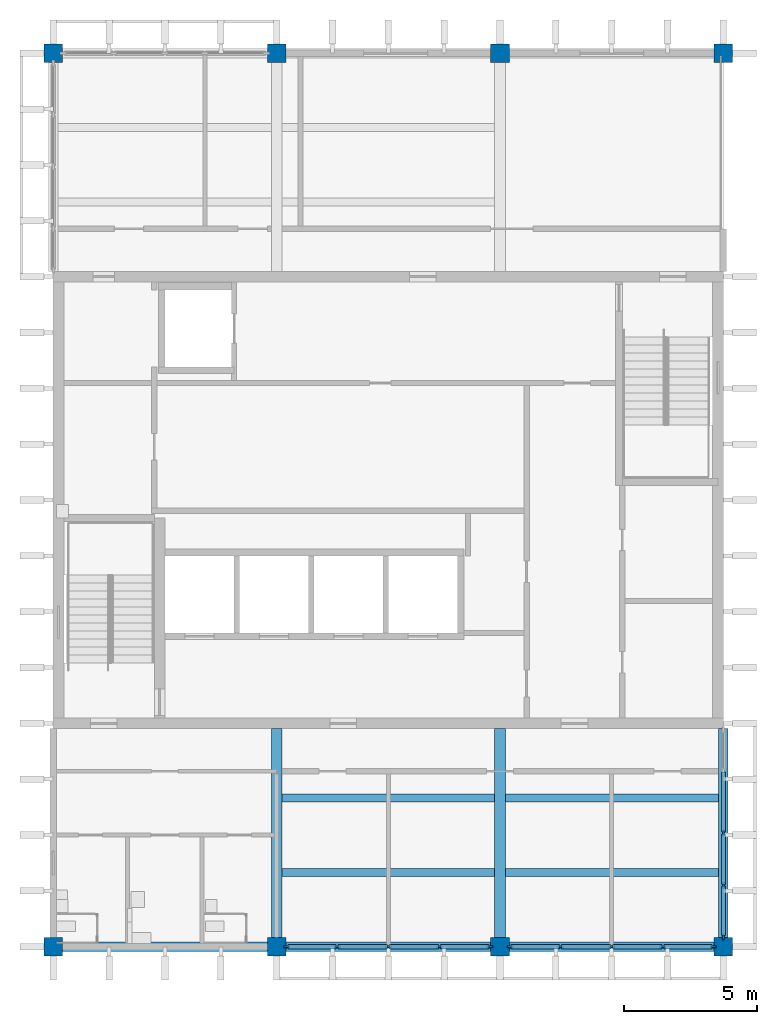
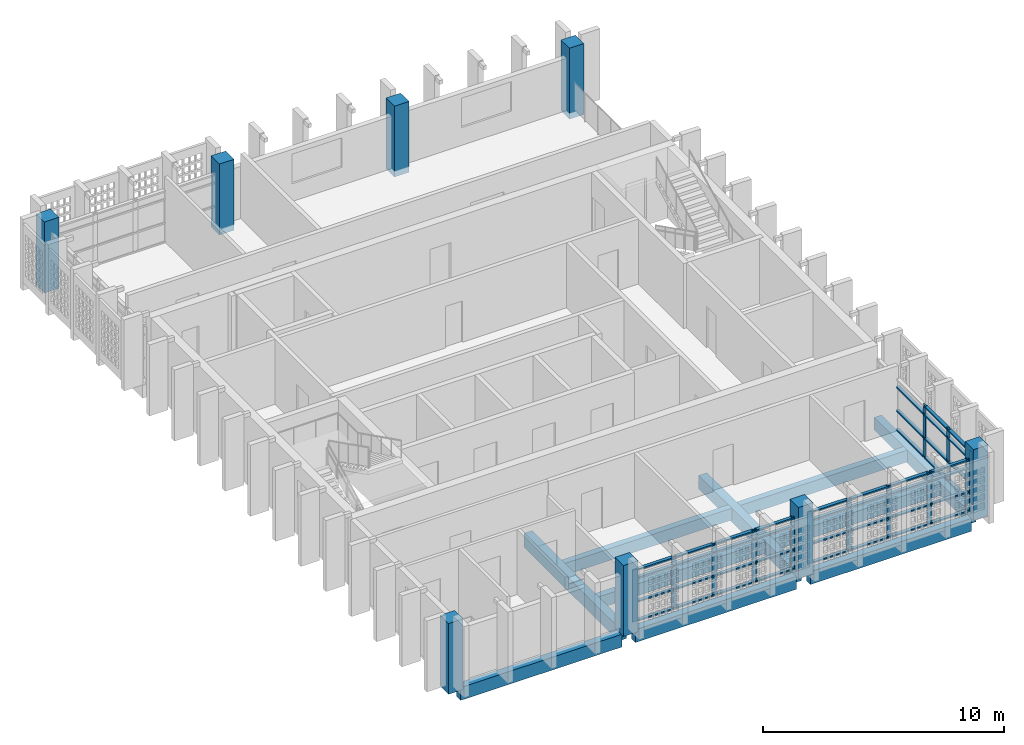
# One storey, part 1 of 13: 56 members, 10 beams, 8 columns, 3 elements without a shape of their own.
"""IFC4 building model written with IfcOpenShell, lengths in metres."""

from ifc_helpers import new_model, si_unit, direction, frame, origin, origin_2d, place, context, subcontext, project, spatial, rectangle, extrude, material, layer, layer_set, material_profile, profile_set, type_object, element, aggregate, save


model = new_model("IFC4")

# Units and contexts
model_context = context("Model", 3, precision=1e-05, world=origin(), true_north=direction((0.0, 1.0)))
body_context = subcontext(model_context, "Body", "Model", "MODEL_VIEW")
ifc_project = project(units=[si_unit("LENGTHUNIT", "METRE"), si_unit("AREAUNIT", "SQUARE_METRE"), si_unit("VOLUMEUNIT", "CUBIC_METRE"), si_unit("PLANEANGLEUNIT", "RADIAN"), si_unit("MASSUNIT", "GRAM", prefix="KILO")], contexts=[model_context])

# Site, building, storey
site_placement = place(None, origin())
site = spatial("IfcSite", under=ifc_project, at=site_placement, CompositionType="ELEMENT")
building_placement = place(site_placement, origin())
building = spatial("IfcBuilding", under=site, at=building_placement, Name="Rulbaag Community and Learning Centre", CompositionType="ELEMENT")
storey_placement = place(building_placement, frame((0.0, 0.0, 54.0)))
storey = spatial("IfcBuildingStorey", under=building, at=storey_placement, Name="L14", CompositionType="ELEMENT", Elevation=54.0)

# Columns
ifc_material_1 = material(Name="Concrete M40", Category="concrete")
ifc_material_profile_1 = material_profile(ifc_material_1, rectangle(XDim=0.699951171875, YDim=0.699951171875, at=origin_2d()), Name="RC700x700")
ifc_profile_set_1 = profile_set([ifc_material_profile_1], Name="Concrete M40")
column_type = type_object("IfcColumnType", Name="C5 Column 700x700 Concrete M40", PredefinedType="COLUMN", material=ifc_profile_set_1)
for number, where, z_axis, x_axis, name in (
    (1, (142.800048828125, 84.0, -0.300048828125), (0.0, 0.0, 1.0), (1.0, 0.0, 0.0), "COL-18K-L14"),
    (2, (142.800048828125, 117.60009765625, -0.300048828125), (0.0, 0.0, 1.0), (1.0, 0.0, 0.0), "COL-18O-L14"),
    (3, (151.199951171875, 84.0, -0.300048828125), (0.0, 0.0, 1.0), (1.0, 0.0, 0.0), "COL-19K-L14"),
    (4, (151.199951171875, 117.60009765625, -0.300048828125), (0.0, 0.0, 1.0), (1.0, 0.0, 0.0), "COL-19O-L14"),
    (5, (159.60009765625, 84.0, -0.300048828125), (0.0, 0.0, 1.0), (1.0, 0.0, 0.0), "COL-20K-L14"),
    (6, (159.60009765625, 117.60009765625, -0.300048828125), (0.0, 0.0, 1.0), (1.0, 0.0, 0.0), "COL-20O-L14"),
    (7, (168.0, 84.0, -0.300048828125), (0.0, 0.0, 1.0), (1.0, 0.0, 0.0), "COL-21K-L14"),
    (8, (168.0, 117.60009765625, -0.300048828125), (0.0, 0.0, 1.0), (1.0, 0.0, 0.0), "COL-21O-L14"),
):
    element("IfcColumn", number, at=place(storey_placement, frame(where, z_axis=z_axis, x_axis=x_axis)), inside=storey, type_object=column_type, Name=name, PredefinedType="COLUMN", context=body_context, shape_type="SweptSolid", body=[
        extrude(rectangle(XDim=0.699951171875, YDim=0.699951171875, at=origin_2d()), origin(), (0.0, 0.0, 1.0), 3.60009765625),
    ])

# Beams
ifc_material_profile_2 = material_profile(ifc_material_1, rectangle(XDim=0.39990234375, YDim=0.699951171875, at=origin_2d()), Name="RB400x700")
ifc_profile_set_2 = profile_set([ifc_material_profile_2], Name="Concrete M40")
beam_type_1 = type_object("IfcBeamType", Name="B13 Tower floor beam, upper zone 400x700 Concrete M40", PredefinedType="BEAM", material=ifc_profile_set_2)
for number, where, z_axis, x_axis, name in (
    (9, (151.199951171875, 84.330078125, -0.64990234375), (0.0, 1.0, 0.0), (-1.0, 0.0, 0.0), "BM-L14-19K-19L"),
    (10, (159.60009765625, 84.330078125, -0.64990234375), (0.0, 1.0, 0.0), (-1.0, 0.0, 0.0), "BM-L14-20K-20L"),
):
    element("IfcBeam", number, at=place(storey_placement, frame(where, z_axis=z_axis, x_axis=x_axis)), inside=storey, type_object=beam_type_1, Name=name, PredefinedType="BEAM", context=body_context, shape_type="SweptSolid", body=[
        extrude(rectangle(XDim=0.39990234375, YDim=0.699951171875, at=origin_2d()), origin(), (0.0, 0.0, 1.0), 7.869873046875),
    ])
ifc_material_profile_3 = material_profile(ifc_material_1, rectangle(XDim=0.35009765625, YDim=0.64990234375, at=origin_2d()), Name="RB350x650")
ifc_profile_set_3 = profile_set([ifc_material_profile_3], Name="Concrete M40")
beam_type_2 = type_object("IfcBeamType", Name="B14 Tower edge beam, upper zone 350x650 Concrete M40", PredefinedType="BEAM", material=ifc_profile_set_3)
beam_1_placement = place(storey_placement, frame((143.1298828125, 84.0, -0.625), z_axis=(1.0, 0.0, 0.0), x_axis=(0.0, 1.0, 0.0)))
element("IfcBeam", 11, at=beam_1_placement, inside=storey, type_object=beam_type_2, Name="BM-L14-18K-19K", PredefinedType="BEAM", context=body_context, shape_type="SweptSolid", body=[
    extrude(rectangle(XDim=0.35009765625, YDim=0.64990234375, at=origin_2d()), origin(), (0.0, 0.0, 1.0), 7.740234375),
])
for number, where, z_axis, x_axis, name in (
    (12, (151.530029296875, 84.0, -0.625), (1.0, 0.0, 0.0), (0.0, 1.0, 0.0), "BM-L14-19K-20K"),
    (13, (159.929931640625, 84.0, -0.625), (1.0, 0.0, 0.0), (0.0, 1.0, 0.0), "BM-L14-20K-21K"),
):
    element("IfcBeam", number, at=place(storey_placement, frame(where, z_axis=z_axis, x_axis=x_axis)), inside=storey, type_object=beam_type_2, Name=name, PredefinedType="BEAM", context=body_context, shape_type="SweptSolid", body=[
        extrude(rectangle(XDim=0.35009765625, YDim=0.64990234375, at=origin_2d()), origin(), (0.0, 0.0, 1.0), 7.739990234375),
    ])
beam_2_placement = place(storey_placement, frame((168.0, 84.330078125, -0.625), z_axis=(0.0, 1.0, 0.0), x_axis=(-1.0, 0.0, 0.0)))
element("IfcBeam", 14, at=beam_2_placement, inside=storey, type_object=beam_type_2, Name="BM-L14-21K-21L", PredefinedType="BEAM", context=body_context, shape_type="SweptSolid", body=[
    extrude(rectangle(XDim=0.35009765625, YDim=0.64990234375, at=origin_2d()), origin(), (0.0, 0.0, 1.0), 7.869873046875),
])
ifc_material_profile_4 = material_profile(ifc_material_1, rectangle(XDim=0.300048828125, YDim=0.60009765625, at=origin_2d()), Name="RB300x600")
ifc_profile_set_4 = profile_set([ifc_material_profile_4], Name="Concrete M40")
beam_type_3 = type_object("IfcBeamType", Name="B30 Secondary joist 300x600 Concrete M40", PredefinedType="BEAM", material=ifc_profile_set_4)
for number, where, z_axis, x_axis, name in (
    (15, (151.39990234375, 86.800048828125, -0.60009765625), (1.0, 0.0, 0.0), (0.0, 1.0, 0.0), "BM-JS-L14-19K-1"),
    (16, (151.39990234375, 89.60009765625, -0.60009765625), (1.0, 0.0, 0.0), (0.0, 1.0, 0.0), "BM-JS-L14-19K-2"),
):
    element("IfcBeam", number, at=place(storey_placement, frame(where, z_axis=z_axis, x_axis=x_axis)), inside=storey, type_object=beam_type_3, Name=name, PredefinedType="BEAM", context=body_context, shape_type="SweptSolid", body=[
        extrude(rectangle(XDim=0.300048828125, YDim=0.60009765625, at=origin_2d()), origin(), (0.0, 0.0, 1.0), 8.0),
    ])
for number, where, z_axis, x_axis, name in (
    (17, (159.800048828125, 86.800048828125, -0.60009765625), (1.0, 0.0, 0.0), (0.0, 1.0, 0.0), "BM-JS-L14-20K-1"),
    (18, (159.800048828125, 89.60009765625, -0.60009765625), (1.0, 0.0, 0.0), (0.0, 1.0, 0.0), "BM-JS-L14-20K-2"),
):
    element("IfcBeam", number, at=place(storey_placement, frame(where, z_axis=z_axis, x_axis=x_axis)), inside=storey, type_object=beam_type_3, Name=name, PredefinedType="BEAM", context=body_context, shape_type="SweptSolid", body=[
        extrude(rectangle(XDim=0.300048828125, YDim=0.60009765625, at=origin_2d()), origin(), (0.0, 0.0, 1.0), 8.02490234375),
    ])

# Curtain wall, members
ifc_material_2 = material(Name="Aluminium", Category="aluminium")
ifc_layer = layer(ifc_material_2, 0.14990234375)
ifc_layer_set = layer_set([ifc_layer], Name="CW-C")
curtain_wall_type = type_object("IfcCurtainWallType", Name="CW-C", PredefinedType="USERDEFINED", material=ifc_layer_set)
curtain_wall_1_placement = place(storey_placement, origin())
curtain_wall_1 = element("IfcCurtainWall", 19, at=curtain_wall_1_placement, inside=storey, type_object=curtain_wall_type, Name="GC-L14-01", ObjectType="UNITISED CURTAIN WALL", PredefinedType="USERDEFINED")
ifc_material_3 = material(Name="Aluminium mullion", Category="aluminium")
ifc_material_profile_5 = material_profile(ifc_material_3, rectangle(XDim=0.070068359375, YDim=0.22509765625, at=origin_2d()), Name="AL 70x225")
ifc_profile_set_5 = profile_set([ifc_material_profile_5], Name="Aluminium mullion")
member_type_1 = type_object("IfcMemberType", Name="CW-C-MUL", PredefinedType="MULLION", material=ifc_profile_set_5)
member_1_placement = place(storey_placement, frame((151.5849609375, 84.0, 0.0), z_axis=(0.0, 0.0, 1.0), x_axis=(0.0, 1.0, 0.0)))
member_1 = element("IfcMember", 20, at=member_1_placement, type_object=member_type_1, Name="GC mullion 1", PredefinedType="MULLION", context=body_context, shape_type="SweptSolid", body=[
    extrude(rectangle(XDim=0.070068359375, YDim=0.22509765625, at=origin_2d()), origin(), (0.0, 0.0, 1.0), 2.64990234375),
])
member_2_placement = place(storey_placement, frame((153.47509765625, 84.0, 0.0), z_axis=(0.0, 0.0, 1.0), x_axis=(0.0, 1.0, 0.0)))
member_2 = element("IfcMember", 21, at=member_2_placement, type_object=member_type_1, Name="GC mullion 2", PredefinedType="MULLION", context=body_context, shape_type="SweptSolid", body=[
    extrude(rectangle(XDim=0.070068359375, YDim=0.22509765625, at=origin_2d()), origin(), (0.0, 0.0, 1.0), 2.64990234375),
])
member_3_placement = place(storey_placement, frame((155.39990234375, 84.0, 0.0), z_axis=(0.0, 0.0, 1.0), x_axis=(0.0, 1.0, 0.0)))
member_3 = element("IfcMember", 22, at=member_3_placement, type_object=member_type_1, Name="GC mullion 3", PredefinedType="MULLION", context=body_context, shape_type="SweptSolid", body=[
    extrude(rectangle(XDim=0.070068359375, YDim=0.22509765625, at=origin_2d()), origin(), (0.0, 0.0, 1.0), 2.64990234375),
])
member_4_placement = place(storey_placement, frame((157.324951171875, 84.0, 0.0), z_axis=(0.0, 0.0, 1.0), x_axis=(0.0, 1.0, 0.0)))
member_4 = element("IfcMember", 23, at=member_4_placement, type_object=member_type_1, Name="GC mullion 4", PredefinedType="MULLION", context=body_context, shape_type="SweptSolid", body=[
    extrude(rectangle(XDim=0.070068359375, YDim=0.22509765625, at=origin_2d()), origin(), (0.0, 0.0, 1.0), 2.64990234375),
])
member_5_placement = place(storey_placement, frame((159.215087890625, 84.0, 0.0), z_axis=(0.0, 0.0, 1.0), x_axis=(0.0, 1.0, 0.0)))
member_5 = element("IfcMember", 24, at=member_5_placement, type_object=member_type_1, Name="GC mullion 5", PredefinedType="MULLION", context=body_context, shape_type="SweptSolid", body=[
    extrude(rectangle(XDim=0.070068359375, YDim=0.22509765625, at=origin_2d()), origin(), (0.0, 0.0, 1.0), 2.64990234375),
])

curtain_wall_2_placement = place(storey_placement, origin())
curtain_wall_2 = element("IfcCurtainWall", 25, at=curtain_wall_2_placement, inside=storey, type_object=curtain_wall_type, Name="GC-L14-02", ObjectType="UNITISED CURTAIN WALL", PredefinedType="USERDEFINED")
member_6_placement = place(storey_placement, frame((159.985107421875, 84.0, 0.0), z_axis=(0.0, 0.0, 1.0), x_axis=(0.0, 1.0, 0.0)))
member_6 = element("IfcMember", 26, at=member_6_placement, type_object=member_type_1, Name="GC mullion 1", PredefinedType="MULLION", context=body_context, shape_type="SweptSolid", body=[
    extrude(rectangle(XDim=0.070068359375, YDim=0.22509765625, at=origin_2d()), origin(), (0.0, 0.0, 1.0), 2.64990234375),
])
member_7_placement = place(storey_placement, frame((161.875, 84.0, 0.0), z_axis=(0.0, 0.0, 1.0), x_axis=(0.0, 1.0, 0.0)))
member_7 = element("IfcMember", 27, at=member_7_placement, type_object=member_type_1, Name="GC mullion 2", PredefinedType="MULLION", context=body_context, shape_type="SweptSolid", body=[
    extrude(rectangle(XDim=0.070068359375, YDim=0.22509765625, at=origin_2d()), origin(), (0.0, 0.0, 1.0), 2.64990234375),
])
member_8_placement = place(storey_placement, frame((163.800048828125, 84.0, 0.0), z_axis=(0.0, 0.0, 1.0), x_axis=(0.0, 1.0, 0.0)))
member_8 = element("IfcMember", 28, at=member_8_placement, type_object=member_type_1, Name="GC mullion 3", PredefinedType="MULLION", context=body_context, shape_type="SweptSolid", body=[
    extrude(rectangle(XDim=0.070068359375, YDim=0.22509765625, at=origin_2d()), origin(), (0.0, 0.0, 1.0), 2.64990234375),
])
member_9_placement = place(storey_placement, frame((165.72509765625, 84.0, 0.0), z_axis=(0.0, 0.0, 1.0), x_axis=(0.0, 1.0, 0.0)))
member_9 = element("IfcMember", 29, at=member_9_placement, type_object=member_type_1, Name="GC mullion 4", PredefinedType="MULLION", context=body_context, shape_type="SweptSolid", body=[
    extrude(rectangle(XDim=0.070068359375, YDim=0.22509765625, at=origin_2d()), origin(), (0.0, 0.0, 1.0), 2.64990234375),
])
member_10_placement = place(storey_placement, frame((167.614990234375, 84.0, 0.0), z_axis=(0.0, 0.0, 1.0), x_axis=(0.0, 1.0, 0.0)))
member_10 = element("IfcMember", 30, at=member_10_placement, type_object=member_type_1, Name="GC mullion 5", PredefinedType="MULLION", context=body_context, shape_type="SweptSolid", body=[
    extrude(rectangle(XDim=0.070068359375, YDim=0.22509765625, at=origin_2d()), origin(), (0.0, 0.0, 1.0), 2.64990234375),
])

curtain_wall_3_placement = place(storey_placement, origin())
curtain_wall_3 = element("IfcCurtainWall", 31, at=curtain_wall_3_placement, inside=storey, type_object=curtain_wall_type, Name="GC-L14-05", ObjectType="UNITISED CURTAIN WALL", PredefinedType="USERDEFINED")
member_11_placement = place(storey_placement, frame((168.0, 84.385009765625, 0.0), z_axis=(0.0, 0.0, 1.0), x_axis=(-1.0, 0.0, 0.0)))
member_11 = element("IfcMember", 32, at=member_11_placement, type_object=member_type_1, Name="GC mullion 1", PredefinedType="MULLION", context=body_context, shape_type="SweptSolid", body=[
    extrude(rectangle(XDim=0.070068359375, YDim=0.22509765625, at=origin_2d()), origin(), (0.0, 0.0, 1.0), 2.64990234375),
])
member_12_placement = place(storey_placement, frame((168.0, 86.3125, 0.0), z_axis=(0.0, 0.0, 1.0), x_axis=(-1.0, 0.0, 0.0)))
member_12 = element("IfcMember", 33, at=member_12_placement, type_object=member_type_1, Name="GC mullion 2", PredefinedType="MULLION", context=body_context, shape_type="SweptSolid", body=[
    extrude(rectangle(XDim=0.070068359375, YDim=0.22509765625, at=origin_2d()), origin(), (0.0, 0.0, 1.0), 2.64990234375),
])
member_13_placement = place(storey_placement, frame((168.0, 88.27490234375, 0.0), z_axis=(0.0, 0.0, 1.0), x_axis=(-1.0, 0.0, 0.0)))
member_13 = element("IfcMember", 34, at=member_13_placement, type_object=member_type_1, Name="GC mullion 3", PredefinedType="MULLION", context=body_context, shape_type="SweptSolid", body=[
    extrude(rectangle(XDim=0.070068359375, YDim=0.22509765625, at=origin_2d()), origin(), (0.0, 0.0, 1.0), 2.64990234375),
])

# Member
ifc_material_4 = material(Name="Aluminium transom", Category="aluminium")
ifc_material_profile_6 = material_profile(ifc_material_4, rectangle(XDim=0.159912109375, YDim=0.070068359375, at=origin_2d()), Name="AL 70x160 T")
ifc_profile_set_6 = profile_set([ifc_material_profile_6], Name="Aluminium transom")
member_type_2 = type_object("IfcMemberType", Name="CW-C-TRN", PredefinedType="USERDEFINED", material=ifc_profile_set_6)
member_14_placement = place(storey_placement, frame((151.6201171875, 84.0, 0.034912109375), z_axis=(1.0, 0.0, 0.0), x_axis=(0.0, 1.0, 0.0)))
member_14 = element("IfcMember", 35, at=member_14_placement, type_object=member_type_2, Name="GC transom 1.1", ObjectType="TRANSOM", PredefinedType="USERDEFINED", context=body_context, shape_type="SweptSolid", body=[
    extrude(rectangle(XDim=0.159912109375, YDim=0.070068359375, at=origin_2d()), origin(), (0.0, 0.0, 1.0), 1.81982421875),
])

member_15_placement = place(storey_placement, frame((151.6201171875, 84.0, 1.0), z_axis=(1.0, 0.0, 0.0), x_axis=(0.0, 1.0, 0.0)))
member_15 = element("IfcMember", 36, at=member_15_placement, type_object=member_type_2, Name="GC transom 1.2", ObjectType="TRANSOM", PredefinedType="USERDEFINED", context=body_context, shape_type="SweptSolid", body=[
    extrude(rectangle(XDim=0.159912109375, YDim=0.070068359375, at=origin_2d()), origin(), (0.0, 0.0, 1.0), 1.81982421875),
])

member_16_placement = place(storey_placement, frame((151.6201171875, 84.0, 2.199951171875), z_axis=(1.0, 0.0, 0.0), x_axis=(0.0, 1.0, 0.0)))
member_16 = element("IfcMember", 37, at=member_16_placement, type_object=member_type_2, Name="GC transom 1.3", ObjectType="TRANSOM", PredefinedType="USERDEFINED", context=body_context, shape_type="SweptSolid", body=[
    extrude(rectangle(XDim=0.159912109375, YDim=0.070068359375, at=origin_2d()), origin(), (0.0, 0.0, 1.0), 1.81982421875),
])

member_17_placement = place(storey_placement, frame((151.6201171875, 84.0, 2.614990234375), z_axis=(1.0, 0.0, 0.0), x_axis=(0.0, 1.0, 0.0)))
member_17 = element("IfcMember", 38, at=member_17_placement, type_object=member_type_2, Name="GC transom 1.4", ObjectType="TRANSOM", PredefinedType="USERDEFINED", context=body_context, shape_type="SweptSolid", body=[
    extrude(rectangle(XDim=0.159912109375, YDim=0.070068359375, at=origin_2d()), origin(), (0.0, 0.0, 1.0), 1.81982421875),
])

member_18_placement = place(storey_placement, frame((153.510009765625, 84.0, 0.034912109375), z_axis=(1.0, 0.0, 0.0), x_axis=(0.0, 1.0, 0.0)))
member_18 = element("IfcMember", 39, at=member_18_placement, type_object=member_type_2, Name="GC transom 2.1", ObjectType="TRANSOM", PredefinedType="USERDEFINED", context=body_context, shape_type="SweptSolid", body=[
    extrude(rectangle(XDim=0.159912109375, YDim=0.070068359375, at=origin_2d()), origin(), (0.0, 0.0, 1.0), 1.85498046875),
])

member_19_placement = place(storey_placement, frame((153.510009765625, 84.0, 1.0), z_axis=(1.0, 0.0, 0.0), x_axis=(0.0, 1.0, 0.0)))
member_19 = element("IfcMember", 40, at=member_19_placement, type_object=member_type_2, Name="GC transom 2.2", ObjectType="TRANSOM", PredefinedType="USERDEFINED", context=body_context, shape_type="SweptSolid", body=[
    extrude(rectangle(XDim=0.159912109375, YDim=0.070068359375, at=origin_2d()), origin(), (0.0, 0.0, 1.0), 1.85498046875),
])

member_20_placement = place(storey_placement, frame((153.510009765625, 84.0, 2.199951171875), z_axis=(1.0, 0.0, 0.0), x_axis=(0.0, 1.0, 0.0)))
member_20 = element("IfcMember", 41, at=member_20_placement, type_object=member_type_2, Name="GC transom 2.3", ObjectType="TRANSOM", PredefinedType="USERDEFINED", context=body_context, shape_type="SweptSolid", body=[
    extrude(rectangle(XDim=0.159912109375, YDim=0.070068359375, at=origin_2d()), origin(), (0.0, 0.0, 1.0), 1.85498046875),
])

member_21_placement = place(storey_placement, frame((153.510009765625, 84.0, 2.614990234375), z_axis=(1.0, 0.0, 0.0), x_axis=(0.0, 1.0, 0.0)))
member_21 = element("IfcMember", 42, at=member_21_placement, type_object=member_type_2, Name="GC transom 2.4", ObjectType="TRANSOM", PredefinedType="USERDEFINED", context=body_context, shape_type="SweptSolid", body=[
    extrude(rectangle(XDim=0.159912109375, YDim=0.070068359375, at=origin_2d()), origin(), (0.0, 0.0, 1.0), 1.85498046875),
])

member_22_placement = place(storey_placement, frame((155.43505859375, 84.0, 0.034912109375), z_axis=(1.0, 0.0, 0.0), x_axis=(0.0, 1.0, 0.0)))
member_22 = element("IfcMember", 43, at=member_22_placement, type_object=member_type_2, Name="GC transom 3.1", ObjectType="TRANSOM", PredefinedType="USERDEFINED", context=body_context, shape_type="SweptSolid", body=[
    extrude(rectangle(XDim=0.159912109375, YDim=0.070068359375, at=origin_2d()), origin(), (0.0, 0.0, 1.0), 1.85498046875),
])

member_23_placement = place(storey_placement, frame((155.43505859375, 84.0, 1.0), z_axis=(1.0, 0.0, 0.0), x_axis=(0.0, 1.0, 0.0)))
member_23 = element("IfcMember", 44, at=member_23_placement, type_object=member_type_2, Name="GC transom 3.2", ObjectType="TRANSOM", PredefinedType="USERDEFINED", context=body_context, shape_type="SweptSolid", body=[
    extrude(rectangle(XDim=0.159912109375, YDim=0.070068359375, at=origin_2d()), origin(), (0.0, 0.0, 1.0), 1.85498046875),
])

member_24_placement = place(storey_placement, frame((155.43505859375, 84.0, 2.199951171875), z_axis=(1.0, 0.0, 0.0), x_axis=(0.0, 1.0, 0.0)))
member_24 = element("IfcMember", 45, at=member_24_placement, type_object=member_type_2, Name="GC transom 3.3", ObjectType="TRANSOM", PredefinedType="USERDEFINED", context=body_context, shape_type="SweptSolid", body=[
    extrude(rectangle(XDim=0.159912109375, YDim=0.070068359375, at=origin_2d()), origin(), (0.0, 0.0, 1.0), 1.85498046875),
])

member_25_placement = place(storey_placement, frame((155.43505859375, 84.0, 2.614990234375), z_axis=(1.0, 0.0, 0.0), x_axis=(0.0, 1.0, 0.0)))
member_25 = element("IfcMember", 46, at=member_25_placement, type_object=member_type_2, Name="GC transom 3.4", ObjectType="TRANSOM", PredefinedType="USERDEFINED", context=body_context, shape_type="SweptSolid", body=[
    extrude(rectangle(XDim=0.159912109375, YDim=0.070068359375, at=origin_2d()), origin(), (0.0, 0.0, 1.0), 1.85498046875),
])

member_26_placement = place(storey_placement, frame((157.360107421875, 84.0, 0.034912109375), z_axis=(1.0, 0.0, 0.0), x_axis=(0.0, 1.0, 0.0)))
member_26 = element("IfcMember", 47, at=member_26_placement, type_object=member_type_2, Name="GC transom 4.1", ObjectType="TRANSOM", PredefinedType="USERDEFINED", context=body_context, shape_type="SweptSolid", body=[
    extrude(rectangle(XDim=0.159912109375, YDim=0.070068359375, at=origin_2d()), origin(), (0.0, 0.0, 1.0), 1.81982421875),
])

member_27_placement = place(storey_placement, frame((157.360107421875, 84.0, 1.0), z_axis=(1.0, 0.0, 0.0), x_axis=(0.0, 1.0, 0.0)))
member_27 = element("IfcMember", 48, at=member_27_placement, type_object=member_type_2, Name="GC transom 4.2", ObjectType="TRANSOM", PredefinedType="USERDEFINED", context=body_context, shape_type="SweptSolid", body=[
    extrude(rectangle(XDim=0.159912109375, YDim=0.070068359375, at=origin_2d()), origin(), (0.0, 0.0, 1.0), 1.81982421875),
])

member_28_placement = place(storey_placement, frame((157.360107421875, 84.0, 2.199951171875), z_axis=(1.0, 0.0, 0.0), x_axis=(0.0, 1.0, 0.0)))
member_28 = element("IfcMember", 49, at=member_28_placement, type_object=member_type_2, Name="GC transom 4.3", ObjectType="TRANSOM", PredefinedType="USERDEFINED", context=body_context, shape_type="SweptSolid", body=[
    extrude(rectangle(XDim=0.159912109375, YDim=0.070068359375, at=origin_2d()), origin(), (0.0, 0.0, 1.0), 1.81982421875),
])

member_29_placement = place(storey_placement, frame((157.360107421875, 84.0, 2.614990234375), z_axis=(1.0, 0.0, 0.0), x_axis=(0.0, 1.0, 0.0)))
member_29 = element("IfcMember", 50, at=member_29_placement, type_object=member_type_2, Name="GC transom 4.4", ObjectType="TRANSOM", PredefinedType="USERDEFINED", context=body_context, shape_type="SweptSolid", body=[
    extrude(rectangle(XDim=0.159912109375, YDim=0.070068359375, at=origin_2d()), origin(), (0.0, 0.0, 1.0), 1.81982421875),
])

aggregate(curtain_wall_1, [member_1, member_2, member_3, member_4, member_5, member_14, member_15, member_16, member_17, member_18, member_19, member_20, member_21, member_22, member_23, member_24, member_25, member_26, member_27, member_28, member_29])

member_30_placement = place(storey_placement, frame((160.02001953125, 84.0, 0.034912109375), z_axis=(1.0, 0.0, 0.0), x_axis=(0.0, 1.0, 0.0)))
member_30 = element("IfcMember", 51, at=member_30_placement, type_object=member_type_2, Name="GC transom 1.1", ObjectType="TRANSOM", PredefinedType="USERDEFINED", context=body_context, shape_type="SweptSolid", body=[
    extrude(rectangle(XDim=0.159912109375, YDim=0.070068359375, at=origin_2d()), origin(), (0.0, 0.0, 1.0), 1.820068359375),
])

member_31_placement = place(storey_placement, frame((160.02001953125, 84.0, 1.0), z_axis=(1.0, 0.0, 0.0), x_axis=(0.0, 1.0, 0.0)))
member_31 = element("IfcMember", 52, at=member_31_placement, type_object=member_type_2, Name="GC transom 1.2", ObjectType="TRANSOM", PredefinedType="USERDEFINED", context=body_context, shape_type="SweptSolid", body=[
    extrude(rectangle(XDim=0.159912109375, YDim=0.070068359375, at=origin_2d()), origin(), (0.0, 0.0, 1.0), 1.820068359375),
])

member_32_placement = place(storey_placement, frame((160.02001953125, 84.0, 2.199951171875), z_axis=(1.0, 0.0, 0.0), x_axis=(0.0, 1.0, 0.0)))
member_32 = element("IfcMember", 53, at=member_32_placement, type_object=member_type_2, Name="GC transom 1.3", ObjectType="TRANSOM", PredefinedType="USERDEFINED", context=body_context, shape_type="SweptSolid", body=[
    extrude(rectangle(XDim=0.159912109375, YDim=0.070068359375, at=origin_2d()), origin(), (0.0, 0.0, 1.0), 1.820068359375),
])

member_33_placement = place(storey_placement, frame((160.02001953125, 84.0, 2.614990234375), z_axis=(1.0, 0.0, 0.0), x_axis=(0.0, 1.0, 0.0)))
member_33 = element("IfcMember", 54, at=member_33_placement, type_object=member_type_2, Name="GC transom 1.4", ObjectType="TRANSOM", PredefinedType="USERDEFINED", context=body_context, shape_type="SweptSolid", body=[
    extrude(rectangle(XDim=0.159912109375, YDim=0.070068359375, at=origin_2d()), origin(), (0.0, 0.0, 1.0), 1.820068359375),
])

member_34_placement = place(storey_placement, frame((161.909912109375, 84.0, 0.034912109375), z_axis=(1.0, 0.0, 0.0), x_axis=(0.0, 1.0, 0.0)))
member_34 = element("IfcMember", 55, at=member_34_placement, type_object=member_type_2, Name="GC transom 2.1", ObjectType="TRANSOM", PredefinedType="USERDEFINED", context=body_context, shape_type="SweptSolid", body=[
    extrude(rectangle(XDim=0.159912109375, YDim=0.070068359375, at=origin_2d()), origin(), (0.0, 0.0, 1.0), 1.85498046875),
])

member_35_placement = place(storey_placement, frame((161.909912109375, 84.0, 1.0), z_axis=(1.0, 0.0, 0.0), x_axis=(0.0, 1.0, 0.0)))
member_35 = element("IfcMember", 56, at=member_35_placement, type_object=member_type_2, Name="GC transom 2.2", ObjectType="TRANSOM", PredefinedType="USERDEFINED", context=body_context, shape_type="SweptSolid", body=[
    extrude(rectangle(XDim=0.159912109375, YDim=0.070068359375, at=origin_2d()), origin(), (0.0, 0.0, 1.0), 1.85498046875),
])

member_36_placement = place(storey_placement, frame((161.909912109375, 84.0, 2.199951171875), z_axis=(1.0, 0.0, 0.0), x_axis=(0.0, 1.0, 0.0)))
member_36 = element("IfcMember", 57, at=member_36_placement, type_object=member_type_2, Name="GC transom 2.3", ObjectType="TRANSOM", PredefinedType="USERDEFINED", context=body_context, shape_type="SweptSolid", body=[
    extrude(rectangle(XDim=0.159912109375, YDim=0.070068359375, at=origin_2d()), origin(), (0.0, 0.0, 1.0), 1.85498046875),
])

member_37_placement = place(storey_placement, frame((161.909912109375, 84.0, 2.614990234375), z_axis=(1.0, 0.0, 0.0), x_axis=(0.0, 1.0, 0.0)))
member_37 = element("IfcMember", 58, at=member_37_placement, type_object=member_type_2, Name="GC transom 2.4", ObjectType="TRANSOM", PredefinedType="USERDEFINED", context=body_context, shape_type="SweptSolid", body=[
    extrude(rectangle(XDim=0.159912109375, YDim=0.070068359375, at=origin_2d()), origin(), (0.0, 0.0, 1.0), 1.85498046875),
])

member_38_placement = place(storey_placement, frame((163.8349609375, 84.0, 0.034912109375), z_axis=(1.0, 0.0, 0.0), x_axis=(0.0, 1.0, 0.0)))
member_38 = element("IfcMember", 59, at=member_38_placement, type_object=member_type_2, Name="GC transom 3.1", ObjectType="TRANSOM", PredefinedType="USERDEFINED", context=body_context, shape_type="SweptSolid", body=[
    extrude(rectangle(XDim=0.159912109375, YDim=0.070068359375, at=origin_2d()), origin(), (0.0, 0.0, 1.0), 1.85498046875),
])

member_39_placement = place(storey_placement, frame((163.8349609375, 84.0, 1.0), z_axis=(1.0, 0.0, 0.0), x_axis=(0.0, 1.0, 0.0)))
member_39 = element("IfcMember", 60, at=member_39_placement, type_object=member_type_2, Name="GC transom 3.2", ObjectType="TRANSOM", PredefinedType="USERDEFINED", context=body_context, shape_type="SweptSolid", body=[
    extrude(rectangle(XDim=0.159912109375, YDim=0.070068359375, at=origin_2d()), origin(), (0.0, 0.0, 1.0), 1.85498046875),
])

member_40_placement = place(storey_placement, frame((163.8349609375, 84.0, 2.199951171875), z_axis=(1.0, 0.0, 0.0), x_axis=(0.0, 1.0, 0.0)))
member_40 = element("IfcMember", 61, at=member_40_placement, type_object=member_type_2, Name="GC transom 3.3", ObjectType="TRANSOM", PredefinedType="USERDEFINED", context=body_context, shape_type="SweptSolid", body=[
    extrude(rectangle(XDim=0.159912109375, YDim=0.070068359375, at=origin_2d()), origin(), (0.0, 0.0, 1.0), 1.85498046875),
])

member_41_placement = place(storey_placement, frame((163.8349609375, 84.0, 2.614990234375), z_axis=(1.0, 0.0, 0.0), x_axis=(0.0, 1.0, 0.0)))
member_41 = element("IfcMember", 62, at=member_41_placement, type_object=member_type_2, Name="GC transom 3.4", ObjectType="TRANSOM", PredefinedType="USERDEFINED", context=body_context, shape_type="SweptSolid", body=[
    extrude(rectangle(XDim=0.159912109375, YDim=0.070068359375, at=origin_2d()), origin(), (0.0, 0.0, 1.0), 1.85498046875),
])

member_42_placement = place(storey_placement, frame((165.760009765625, 84.0, 0.034912109375), z_axis=(1.0, 0.0, 0.0), x_axis=(0.0, 1.0, 0.0)))
member_42 = element("IfcMember", 63, at=member_42_placement, type_object=member_type_2, Name="GC transom 4.1", ObjectType="TRANSOM", PredefinedType="USERDEFINED", context=body_context, shape_type="SweptSolid", body=[
    extrude(rectangle(XDim=0.159912109375, YDim=0.070068359375, at=origin_2d()), origin(), (0.0, 0.0, 1.0), 1.820068359375),
])

member_43_placement = place(storey_placement, frame((165.760009765625, 84.0, 1.0), z_axis=(1.0, 0.0, 0.0), x_axis=(0.0, 1.0, 0.0)))
member_43 = element("IfcMember", 64, at=member_43_placement, type_object=member_type_2, Name="GC transom 4.2", ObjectType="TRANSOM", PredefinedType="USERDEFINED", context=body_context, shape_type="SweptSolid", body=[
    extrude(rectangle(XDim=0.159912109375, YDim=0.070068359375, at=origin_2d()), origin(), (0.0, 0.0, 1.0), 1.820068359375),
])

member_44_placement = place(storey_placement, frame((165.760009765625, 84.0, 2.199951171875), z_axis=(1.0, 0.0, 0.0), x_axis=(0.0, 1.0, 0.0)))
member_44 = element("IfcMember", 65, at=member_44_placement, type_object=member_type_2, Name="GC transom 4.3", ObjectType="TRANSOM", PredefinedType="USERDEFINED", context=body_context, shape_type="SweptSolid", body=[
    extrude(rectangle(XDim=0.159912109375, YDim=0.070068359375, at=origin_2d()), origin(), (0.0, 0.0, 1.0), 1.820068359375),
])

member_45_placement = place(storey_placement, frame((165.760009765625, 84.0, 2.614990234375), z_axis=(1.0, 0.0, 0.0), x_axis=(0.0, 1.0, 0.0)))
member_45 = element("IfcMember", 66, at=member_45_placement, type_object=member_type_2, Name="GC transom 4.4", ObjectType="TRANSOM", PredefinedType="USERDEFINED", context=body_context, shape_type="SweptSolid", body=[
    extrude(rectangle(XDim=0.159912109375, YDim=0.070068359375, at=origin_2d()), origin(), (0.0, 0.0, 1.0), 1.820068359375),
])

aggregate(curtain_wall_2, [member_6, member_7, member_8, member_9, member_10, member_30, member_31, member_32, member_33, member_34, member_35, member_36, member_37, member_38, member_39, member_40, member_41, member_42, member_43, member_44, member_45])

member_46_placement = place(storey_placement, frame((168.0, 84.419921875, 0.034912109375), z_axis=(0.0, 1.0, 0.0), x_axis=(-1.0, 0.0, 0.0)))
member_46 = element("IfcMember", 67, at=member_46_placement, type_object=member_type_2, Name="GC transom 1.1", ObjectType="TRANSOM", PredefinedType="USERDEFINED", context=body_context, shape_type="SweptSolid", body=[
    extrude(rectangle(XDim=0.159912109375, YDim=0.070068359375, at=origin_2d()), origin(), (0.0, 0.0, 1.0), 1.857666015625),
])

member_47_placement = place(storey_placement, frame((168.0, 84.419921875, 1.0), z_axis=(0.0, 1.0, 0.0), x_axis=(-1.0, 0.0, 0.0)))
member_47 = element("IfcMember", 68, at=member_47_placement, type_object=member_type_2, Name="GC transom 1.2", ObjectType="TRANSOM", PredefinedType="USERDEFINED", context=body_context, shape_type="SweptSolid", body=[
    extrude(rectangle(XDim=0.159912109375, YDim=0.070068359375, at=origin_2d()), origin(), (0.0, 0.0, 1.0), 1.857666015625),
])

member_48_placement = place(storey_placement, frame((168.0, 84.419921875, 2.199951171875), z_axis=(0.0, 1.0, 0.0), x_axis=(-1.0, 0.0, 0.0)))
member_48 = element("IfcMember", 69, at=member_48_placement, type_object=member_type_2, Name="GC transom 1.3", ObjectType="TRANSOM", PredefinedType="USERDEFINED", context=body_context, shape_type="SweptSolid", body=[
    extrude(rectangle(XDim=0.159912109375, YDim=0.070068359375, at=origin_2d()), origin(), (0.0, 0.0, 1.0), 1.857666015625),
])

member_49_placement = place(storey_placement, frame((168.0, 84.419921875, 2.614990234375), z_axis=(0.0, 1.0, 0.0), x_axis=(-1.0, 0.0, 0.0)))
member_49 = element("IfcMember", 70, at=member_49_placement, type_object=member_type_2, Name="GC transom 1.4", ObjectType="TRANSOM", PredefinedType="USERDEFINED", context=body_context, shape_type="SweptSolid", body=[
    extrude(rectangle(XDim=0.159912109375, YDim=0.070068359375, at=origin_2d()), origin(), (0.0, 0.0, 1.0), 1.857666015625),
])

member_50_placement = place(storey_placement, frame((168.0, 86.347412109375, 0.034912109375), z_axis=(0.0, 1.0, 0.0), x_axis=(-1.0, 0.0, 0.0)))
member_50 = element("IfcMember", 71, at=member_50_placement, type_object=member_type_2, Name="GC transom 2.1", ObjectType="TRANSOM", PredefinedType="USERDEFINED", context=body_context, shape_type="SweptSolid", body=[
    extrude(rectangle(XDim=0.159912109375, YDim=0.070068359375, at=origin_2d()), origin(), (0.0, 0.0, 1.0), 1.892578125),
])

member_51_placement = place(storey_placement, frame((168.0, 86.347412109375, 1.0), z_axis=(0.0, 1.0, 0.0), x_axis=(-1.0, 0.0, 0.0)))
member_51 = element("IfcMember", 72, at=member_51_placement, type_object=member_type_2, Name="GC transom 2.2", ObjectType="TRANSOM", PredefinedType="USERDEFINED", context=body_context, shape_type="SweptSolid", body=[
    extrude(rectangle(XDim=0.159912109375, YDim=0.070068359375, at=origin_2d()), origin(), (0.0, 0.0, 1.0), 1.892578125),
])

member_52_placement = place(storey_placement, frame((168.0, 86.347412109375, 2.199951171875), z_axis=(0.0, 1.0, 0.0), x_axis=(-1.0, 0.0, 0.0)))
member_52 = element("IfcMember", 73, at=member_52_placement, type_object=member_type_2, Name="GC transom 2.3", ObjectType="TRANSOM", PredefinedType="USERDEFINED", context=body_context, shape_type="SweptSolid", body=[
    extrude(rectangle(XDim=0.159912109375, YDim=0.070068359375, at=origin_2d()), origin(), (0.0, 0.0, 1.0), 1.892578125),
])

member_53_placement = place(storey_placement, frame((168.0, 86.347412109375, 2.614990234375), z_axis=(0.0, 1.0, 0.0), x_axis=(-1.0, 0.0, 0.0)))
member_53 = element("IfcMember", 74, at=member_53_placement, type_object=member_type_2, Name="GC transom 2.4", ObjectType="TRANSOM", PredefinedType="USERDEFINED", context=body_context, shape_type="SweptSolid", body=[
    extrude(rectangle(XDim=0.159912109375, YDim=0.070068359375, at=origin_2d()), origin(), (0.0, 0.0, 1.0), 1.892578125),
])

member_54_placement = place(storey_placement, frame((168.0, 88.31005859375, 0.034912109375), z_axis=(0.0, 1.0, 0.0), x_axis=(-1.0, 0.0, 0.0)))
member_54 = element("IfcMember", 75, at=member_54_placement, type_object=member_type_2, Name="GC transom 3.1", ObjectType="TRANSOM", PredefinedType="USERDEFINED", context=body_context, shape_type="SweptSolid", body=[
    extrude(rectangle(XDim=0.159912109375, YDim=0.070068359375, at=origin_2d()), origin(), (0.0, 0.0, 1.0), 2.2548828125),
])

member_55_placement = place(storey_placement, frame((168.0, 88.31005859375, 1.0), z_axis=(0.0, 1.0, 0.0), x_axis=(-1.0, 0.0, 0.0)))
member_55 = element("IfcMember", 76, at=member_55_placement, type_object=member_type_2, Name="GC transom 3.2", ObjectType="TRANSOM", PredefinedType="USERDEFINED", context=body_context, shape_type="SweptSolid", body=[
    extrude(rectangle(XDim=0.159912109375, YDim=0.070068359375, at=origin_2d()), origin(), (0.0, 0.0, 1.0), 2.2548828125),
])

member_56_placement = place(storey_placement, frame((168.0, 88.31005859375, 2.199951171875), z_axis=(0.0, 1.0, 0.0), x_axis=(-1.0, 0.0, 0.0)))
member_56 = element("IfcMember", 77, at=member_56_placement, type_object=member_type_2, Name="GC transom 3.3", ObjectType="TRANSOM", PredefinedType="USERDEFINED", context=body_context, shape_type="SweptSolid", body=[
    extrude(rectangle(XDim=0.159912109375, YDim=0.070068359375, at=origin_2d()), origin(), (0.0, 0.0, 1.0), 2.2548828125),
])

aggregate(curtain_wall_3, [member_11, member_12, member_13, member_46, member_47, member_48, member_49, member_50, member_51, member_52, member_53, member_54, member_55, member_56])

save(model, "model.ifc")
